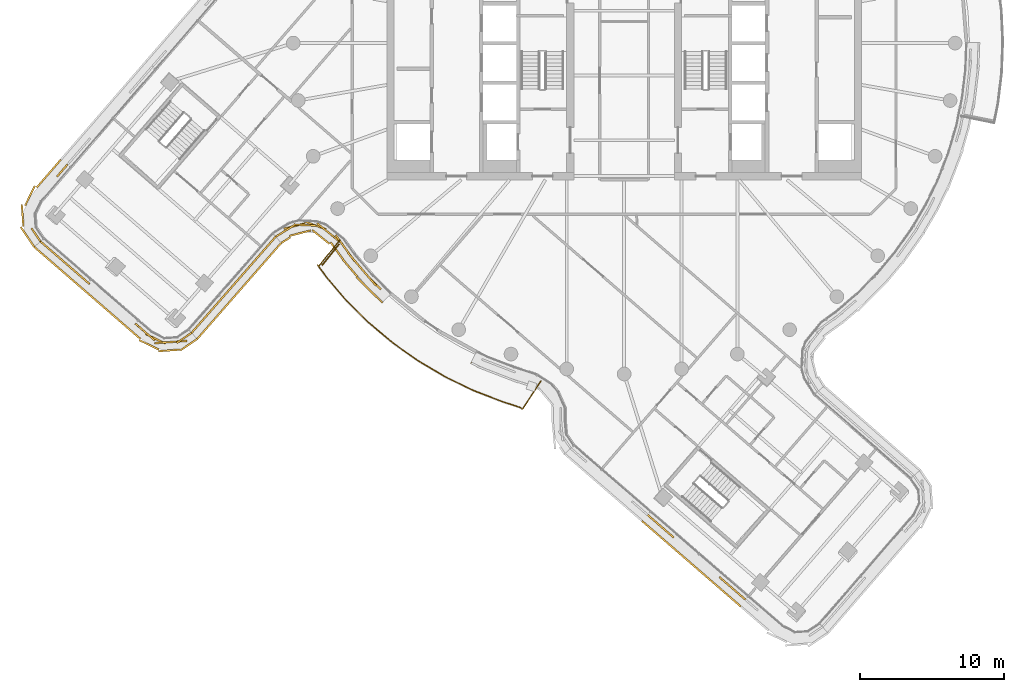
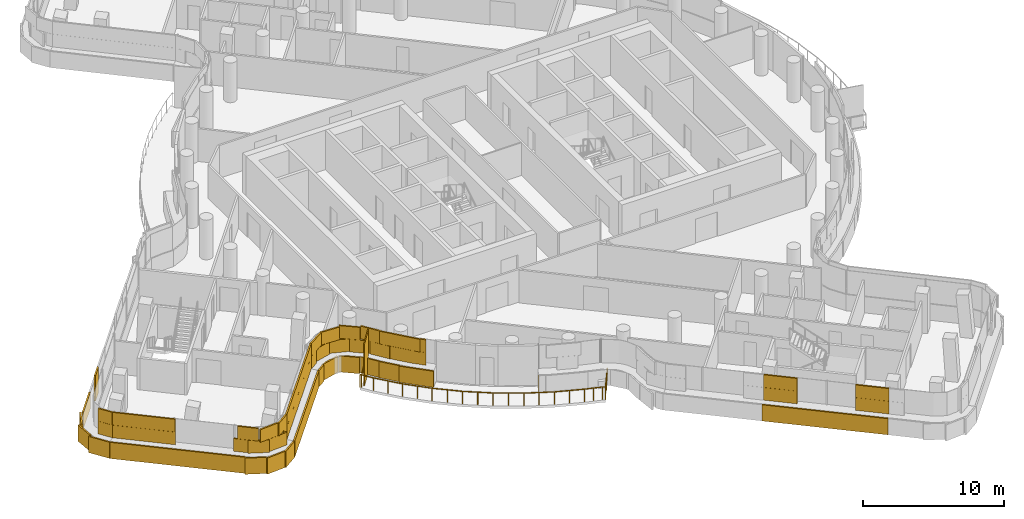
# One storey, part 25 of 32: 5 coverings, 1 railing, 1 shading device.
"""IFC4 building model written with IfcOpenShell, lengths in metres."""

from ifc_helpers import new_model, si_unit, direction, frame, origin, origin_2d, place, context, subcontext, project, spatial, rectangle, circle, extrude, material, layer, layer_set, type_object, element, save


model = new_model("IFC4")

# Units and contexts
model_context = context("Model", 3, precision=1e-05, world=origin(), true_north=direction((0.0, 1.0)))
body_context = subcontext(model_context, "Body", "Model", "MODEL_VIEW")
ifc_project = project(units=[si_unit("LENGTHUNIT", "METRE"), si_unit("AREAUNIT", "SQUARE_METRE"), si_unit("VOLUMEUNIT", "CUBIC_METRE"), si_unit("PLANEANGLEUNIT", "RADIAN"), si_unit("MASSUNIT", "GRAM", prefix="KILO")], contexts=[model_context])

# Site, building, storey
site_placement = place(None, origin())
site = spatial("IfcSite", under=ifc_project, at=site_placement, CompositionType="ELEMENT")
building_placement = place(site_placement, origin())
building = spatial("IfcBuilding", under=site, at=building_placement, Name="Tamarind Cross Interchange Tower", CompositionType="ELEMENT")
storey_placement = place(building_placement, frame((0.0, 0.0, 211.300048828125)))
storey = spatial("IfcBuildingStorey", under=building, at=storey_placement, Name="L53", CompositionType="ELEMENT", Elevation=211.300048828125)

# Railing
ifc_material_1 = material(Name="Stainless steel and laminated glass", Category="steel")
railing_type = type_object("IfcRailingType", Name="Balcony guard", PredefinedType="BALUSTRADE", material=ifc_material_1)
railing_placement = place(storey_placement, frame((-19.7607421875, -13.683837890625, 0.0)))
element("IfcRailing", 1, at=railing_placement, inside=storey, type_object=railing_type, Name="Balcony guard 02", PredefinedType="BALUSTRADE", context=body_context, shape_type="SweptSolid", body=[
    extrude(circle(Radius=0.02490234375, at=origin_2d()), frame((0.0, 0.0, 1.0751953125), z_axis=(-0.626566938799, -0.779367609799, 0.0), x_axis=(0.779367609799, -0.626566938799, 0.0)), (0.0, 0.0, 1.0), 2.320068359375),
    extrude(circle(Radius=0.02490234375, at=origin_2d()), frame((-1.45361328125, -1.80810546875, 1.0751953125), z_axis=(-0.779796144218, 0.626033524232, 0.0), x_axis=(-0.626033524232, -0.779796144218, 0.0)), (0.0, 0.0, 1.0), 0.111083984375),
    extrude(circle(Radius=0.02490234375, at=origin_2d()), frame((-1.540283203125, -1.738525390625, 1.0751953125), z_axis=(0.586718928927, -0.809790650995, 0.0), x_axis=(0.809790650995, 0.586718928927, 0.0)), (0.0, 0.0, 1.0), 1.02978515625),
    extrude(circle(Radius=0.02490234375, at=origin_2d()), frame((-0.93603515625, -2.572509765625, 1.0751953125), z_axis=(0.649577911597, -0.760295032711, 0.0), x_axis=(0.760295032711, 0.649577911597, 0.0)), (0.0, 0.0, 1.0), 2.172119140625),
    extrude(circle(Radius=0.02490234375, at=origin_2d()), frame((0.474853515625, -4.223876953125, 1.0751953125), z_axis=(0.710130717242, -0.704069857635, 0.0), x_axis=(0.704069857635, 0.710130717242, 0.0)), (0.0, 0.0, 1.0), 2.17529296875),
    extrude(circle(Radius=0.02490234375, at=origin_2d()), frame((2.01953125, -5.75537109375, 1.0751953125), z_axis=(0.765879503455, -0.642984125922, 0.0), x_axis=(0.642984125922, 0.765879503455, 0.0)), (0.0, 0.0, 1.0), 2.17529296875),
    extrude(circle(Radius=0.02490234375, at=origin_2d()), frame((3.685546875, -7.154052734375, 1.0751953125), z_axis=(0.81632657602, -0.577590617379, 0.0), x_axis=(0.577590617379, 0.81632657602, 0.0)), (0.0, 0.0, 1.0), 2.175048828125),
    extrude(circle(Radius=0.02490234375, at=origin_2d()), frame((5.461181640625, -8.410400390625, 1.0751953125), z_axis=(0.861223570169, -0.508226290333, 0.0), x_axis=(0.508226290333, 0.861223570169, 0.0)), (0.0, 0.0, 1.0), 2.175048828125),
    extrude(circle(Radius=0.02490234375, at=origin_2d()), frame((7.33447265625, -9.515869140625, 1.0751953125), z_axis=(0.90029690694, -0.435276325285, 0.0), x_axis=(0.435276325285, 0.90029690694, 0.0)), (0.0, 0.0, 1.0), 2.175048828125),
    extrude(circle(Radius=0.02490234375, at=origin_2d()), frame((9.292724609375, -10.462646484375, 1.0751953125), z_axis=(0.933130761804, -0.359537176625, 0.0), x_axis=(0.359537176625, 0.933130761804, 0.0)), (0.0, 0.0, 1.0), 2.1396484375),
    extrude(circle(Radius=0.02490234375, at=origin_2d()), frame((11.289306640625, -11.23193359375, 1.0751953125), z_axis=(0.950607684292, -0.310394958988, 0.0), x_axis=(0.310394958988, 0.950607684292, 0.0)), (0.0, 0.0, 1.0), 1.31982421875),
    extrude(circle(Radius=0.02490234375, at=origin_2d()), frame((12.5439453125, -11.6416015625, 1.0751953125), z_axis=(0.837058434918, -0.547113495112, 0.0), x_axis=(0.547113495112, 0.837058434918, 0.0)), (0.0, 0.0, 1.0), 0.193603515625),
    extrude(circle(Radius=0.02490234375, at=origin_2d()), frame((12.7060546875, -11.74755859375, 1.0751953125), z_axis=(0.546563059652, 0.837417949309, 0.0), x_axis=(-0.837417949309, 0.546563059652, 0.0)), (0.0, 0.0, 1.0), 2.320068359375),
    extrude(circle(Radius=0.02001953125, at=origin_2d()), origin(), (0.0, 0.0, 1.0), 1.050048828125),
    extrude(circle(Radius=0.02001953125, at=origin_2d()), frame((-0.726806640625, -0.904052734375, 0.0)), (0.0, 0.0, 1.0), 1.050048828125),
    extrude(circle(Radius=0.02001953125, at=origin_2d()), frame((-1.45361328125, -1.80810546875, 0.0)), (0.0, 0.0, 1.0), 1.050048828125),
    extrude(circle(Radius=0.02001953125, at=origin_2d()), frame((-1.540283203125, -1.738525390625, 0.0)), (0.0, 0.0, 1.0), 1.050048828125),
    extrude(circle(Radius=0.02001953125, at=origin_2d()), frame((-0.93603515625, -2.572509765625, 0.0)), (0.0, 0.0, 1.0), 1.050048828125),
    extrude(circle(Radius=0.02001953125, at=origin_2d()), frame((-0.23046875, -3.398193359375, 0.0)), (0.0, 0.0, 1.0), 1.050048828125),
    extrude(circle(Radius=0.02001953125, at=origin_2d()), frame((0.474853515625, -4.223876953125, 0.0)), (0.0, 0.0, 1.0), 1.050048828125),
    extrude(circle(Radius=0.02001953125, at=origin_2d()), frame((1.2470703125, -4.98974609375, 0.0)), (0.0, 0.0, 1.0), 1.050048828125),
    extrude(circle(Radius=0.02001953125, at=origin_2d()), frame((2.01953125, -5.75537109375, 0.0)), (0.0, 0.0, 1.0), 1.050048828125),
    extrude(circle(Radius=0.02001953125, at=origin_2d()), frame((2.8525390625, -6.45458984375, 0.0)), (0.0, 0.0, 1.0), 1.050048828125),
    extrude(circle(Radius=0.02001953125, at=origin_2d()), frame((3.685546875, -7.154052734375, 0.0)), (0.0, 0.0, 1.0), 1.050048828125),
    extrude(circle(Radius=0.02001953125, at=origin_2d()), frame((4.5732421875, -7.7822265625, 0.0)), (0.0, 0.0, 1.0), 1.050048828125),
    extrude(circle(Radius=0.02001953125, at=origin_2d()), frame((5.461181640625, -8.410400390625, 0.0)), (0.0, 0.0, 1.0), 1.050048828125),
    extrude(circle(Radius=0.02001953125, at=origin_2d()), frame((6.39794921875, -8.963134765625, 0.0)), (0.0, 0.0, 1.0), 1.050048828125),
    extrude(circle(Radius=0.02001953125, at=origin_2d()), frame((7.33447265625, -9.515869140625, 0.0)), (0.0, 0.0, 1.0), 1.050048828125),
    extrude(circle(Radius=0.02001953125, at=origin_2d()), frame((8.3134765625, -9.9892578125, 0.0)), (0.0, 0.0, 1.0), 1.050048828125),
    extrude(circle(Radius=0.02001953125, at=origin_2d()), frame((9.292724609375, -10.462646484375, 0.0)), (0.0, 0.0, 1.0), 1.050048828125),
    extrude(circle(Radius=0.02001953125, at=origin_2d()), frame((10.291015625, -10.84716796875, 0.0)), (0.0, 0.0, 1.0), 1.050048828125),
    extrude(circle(Radius=0.02001953125, at=origin_2d()), frame((11.289306640625, -11.23193359375, 0.0)), (0.0, 0.0, 1.0), 1.050048828125),
    extrude(circle(Radius=0.02001953125, at=origin_2d()), frame((11.91650390625, -11.436767578125, 0.0)), (0.0, 0.0, 1.0), 1.050048828125),
    extrude(circle(Radius=0.02001953125, at=origin_2d()), frame((12.5439453125, -11.6416015625, 0.0)), (0.0, 0.0, 1.0), 1.050048828125),
    extrude(circle(Radius=0.02001953125, at=origin_2d()), frame((12.7060546875, -11.74755859375, 0.0)), (0.0, 0.0, 1.0), 1.050048828125),
    extrude(circle(Radius=0.02001953125, at=origin_2d()), frame((13.340087890625, -10.776123046875, 0.0)), (0.0, 0.0, 1.0), 1.050048828125),
    extrude(circle(Radius=0.02001953125, at=origin_2d()), frame((13.97412109375, -9.8046875, 0.0)), (0.0, 0.0, 1.0), 1.050048828125),
])

# Shading device
ifc_material_2 = material(Name="Bronze-finish aluminium louvre", Category="aluminium")
ifc_layer_1 = layer(ifc_material_2, 0.080078125)
ifc_layer_set_1 = layer_set([ifc_layer_1], Name="Bronze-finish aluminium louvre")
shading_device_type = type_object("IfcShadingDeviceType", Name="Operable louvre bay", PredefinedType="JALOUSIE", material=ifc_layer_set_1)
shading_device_placement = place(storey_placement, origin())
element("IfcShadingDevice", 2, at=shading_device_placement, inside=storey, type_object=shading_device_type, Name="LVR-L53-BAL02", PredefinedType="JALOUSIE", context=body_context, shape_type="SweptSolid", body=[
    extrude(rectangle(XDim=1.89990234375, YDim=0.080078125, at=origin_2d()), frame((-20.403564453125, -14.706787109375, 0.0), z_axis=(0.0, 0.0, 1.0), x_axis=(-0.62651097802, -0.779412595754, 0.0)), (0.0, 0.0, 1.0), 3.60009765625),
])

# Coverings
ifc_material_3 = material(Name="Terracotta", Category="masonry")
ifc_layer_2 = layer(ifc_material_3, 0.1201171875)
ifc_layer_set_2 = layer_set([ifc_layer_2], Name="Terracotta")
covering_type = type_object("IfcCoveringType", Name="Terracotta baguette screen unit", PredefinedType="MOLDING", material=ifc_layer_set_2)
covering_1_placement = place(storey_placement, origin())
element("IfcCovering", 3, at=covering_1_placement, inside=storey, type_object=covering_type, Name="SCR-L53-00-00", PredefinedType="MOLDING", context=body_context, shape_type="SweptSolid", body=[
    extrude(rectangle(XDim=0.760009765625, YDim=0.1201171875, at=origin_2d()), frame((-40.28515625, -14.0302734375, 1.40380859375), z_axis=(0.0, 0.0, 1.0), x_axis=(0.755917458902, -0.654666934653, 0.0)), (0.0, 0.0, 1.0), 1.092041015625),
    extrude(rectangle(XDim=1.52001953125, YDim=0.1201171875, at=origin_2d()), frame((-39.4345703125, -14.766845703125, 1.40380859375), z_axis=(0.0, 0.0, 1.0), x_axis=(0.755917458902, -0.654666934653, 0.0)), (0.0, 0.0, 1.0), 1.092041015625),
    extrude(rectangle(XDim=1.52001953125, YDim=0.1201171875, at=origin_2d()), frame((-38.30078125, -15.748779296875, 1.40380859375), z_axis=(0.0, 0.0, 1.0), x_axis=(0.755917458902, -0.654666934653, 0.0)), (0.0, 0.0, 1.0), 1.092041015625),
    extrude(rectangle(XDim=0.78466796875, YDim=0.1201171875, at=origin_2d()), frame((-37.44091796875, -16.493408203125, 1.40380859375), z_axis=(0.0, 0.0, 1.0), x_axis=(0.755917458902, -0.654666934653, 0.0)), (0.0, 0.0, 1.0), 1.092041015625),
    extrude(rectangle(XDim=1.03515625, YDim=0.1201171875, at=origin_2d()), frame((-33.5859375, -19.832275390625, 1.40380859375), z_axis=(0.0, 0.0, 1.0), x_axis=(0.755917458902, -0.654666934653, 0.0)), (0.0, 0.0, 1.0), 1.092041015625),
    extrude(rectangle(XDim=1.52001953125, YDim=0.1201171875, at=origin_2d()), frame((-32.56298828125, -20.554931640625, 1.40380859375), z_axis=(0.0, 0.0, 1.0), x_axis=(0.899600466983, -0.436713864909, 0.0)), (0.0, 0.0, 1.0), 1.092041015625),
    extrude(rectangle(XDim=1.52001953125, YDim=0.1201171875, at=origin_2d()), frame((-31.125, -20.75, 1.40380859375), z_axis=(0.0, 0.0, 1.0), x_axis=(0.997433790118, 0.071594932295, 0.0)), (0.0, 0.0, 1.0), 1.092041015625),
    extrude(rectangle(XDim=0.509521484375, YDim=0.1201171875, at=origin_2d()), frame((-30.26708984375, -20.276611328125, 1.40380859375), z_axis=(0.0, 0.0, 1.0), x_axis=(0.828005534688, 0.560719925209, 0.0)), (0.0, 0.0, 1.0), 1.092041015625),
    extrude(rectangle(XDim=1.510009765625, YDim=0.1201171875, at=origin_2d()), frame((-40.001708984375, -14.27587890625, 2.50390625), z_axis=(0.0, 0.0, 1.0), x_axis=(0.755917458902, -0.654666934653, 0.0)), (0.0, 0.0, 1.0), 1.092041015625),
    extrude(rectangle(XDim=1.52001953125, YDim=0.1201171875, at=origin_2d()), frame((-38.86767578125, -15.2578125, 2.50390625), z_axis=(0.0, 0.0, 1.0), x_axis=(0.755917458902, -0.654666934653, 0.0)), (0.0, 0.0, 1.0), 1.092041015625),
    extrude(rectangle(XDim=1.52001953125, YDim=0.1201171875, at=origin_2d()), frame((-37.73388671875, -16.23974609375, 2.50390625), z_axis=(0.0, 0.0, 1.0), x_axis=(0.755917458902, -0.654666934653, 0.0)), (0.0, 0.0, 1.0), 1.092041015625),
    extrude(rectangle(XDim=1.52001953125, YDim=0.1201171875, at=origin_2d()), frame((-33.1982421875, -20.167724609375, 2.50390625), z_axis=(0.0, 0.0, 1.0), x_axis=(0.755917458902, -0.654666934653, 0.0)), (0.0, 0.0, 1.0), 1.092041015625),
    extrude(rectangle(XDim=1.52001953125, YDim=0.1201171875, at=origin_2d()), frame((-31.873046875, -20.8037109375, 2.50390625), z_axis=(0.0, 0.0, 1.0), x_axis=(0.997433790118, 0.071594932295, 0.0)), (0.0, 0.0, 1.0), 1.092041015625),
    extrude(rectangle(XDim=1.259521484375, YDim=0.1201171875, at=origin_2d()), frame((-30.577392578125, -20.487060546875, 2.50390625), z_axis=(0.0, 0.0, 1.0), x_axis=(0.828005534688, 0.560719925209, 0.0)), (0.0, 0.0, 1.0), 1.092041015625),
    extrude(rectangle(XDim=0.760009765625, YDim=0.1201171875, at=origin_2d()), frame((-40.714111328125, -14.41796875, 0.00390625), z_axis=(0.0, 0.0, 1.0), x_axis=(0.755917458902, -0.654666934653, 0.0)), (0.0, 0.0, 1.0), 1.39208984375),
    extrude(rectangle(XDim=1.52001953125, YDim=0.1201171875, at=origin_2d()), frame((-39.86767578125, -15.151123046875, 0.00390625), z_axis=(0.0, 0.0, 1.0), x_axis=(0.755917458902, -0.654666934653, 0.0)), (0.0, 0.0, 1.0), 1.39208984375),
    extrude(rectangle(XDim=1.52001953125, YDim=0.1201171875, at=origin_2d()), frame((-38.733642578125, -16.13330078125, 0.00390625), z_axis=(0.0, 0.0, 1.0), x_axis=(0.755917458902, -0.654666934653, 0.0)), (0.0, 0.0, 1.0), 1.39208984375),
    extrude(rectangle(XDim=1.52001953125, YDim=0.1201171875, at=origin_2d()), frame((-37.599853515625, -17.115234375, 0.00390625), z_axis=(0.0, 0.0, 1.0), x_axis=(0.755917458902, -0.654666934653, 0.0)), (0.0, 0.0, 1.0), 1.39208984375),
    extrude(rectangle(XDim=1.52001953125, YDim=0.1201171875, at=origin_2d()), frame((-36.4658203125, -18.09716796875, 0.00390625), z_axis=(0.0, 0.0, 1.0), x_axis=(0.755917458902, -0.654666934653, 0.0)), (0.0, 0.0, 1.0), 1.39208984375),
    extrude(rectangle(XDim=1.52001953125, YDim=0.1201171875, at=origin_2d()), frame((-35.33203125, -19.0791015625, 0.00390625), z_axis=(0.0, 0.0, 1.0), x_axis=(0.755917458902, -0.654666934653, 0.0)), (0.0, 0.0, 1.0), 1.39208984375),
    extrude(rectangle(XDim=1.52001953125, YDim=0.1201171875, at=origin_2d()), frame((-34.1982421875, -20.061279296875, 0.00390625), z_axis=(0.0, 0.0, 1.0), x_axis=(0.755917458902, -0.654666934653, 0.0)), (0.0, 0.0, 1.0), 1.39208984375),
    extrude(rectangle(XDim=1.52001953125, YDim=0.1201171875, at=origin_2d()), frame((-33.017578125, -20.972412109375, 0.00390625), z_axis=(0.0, 0.0, 1.0), x_axis=(0.899600466983, -0.436713864909, 0.0)), (0.0, 0.0, 1.0), 1.39208984375),
    extrude(rectangle(XDim=1.52001953125, YDim=0.1201171875, at=origin_2d()), frame((-31.616943359375, -21.36083984375, 0.00390625), z_axis=(0.0, 0.0, 1.0), x_axis=(0.997433790118, 0.071594932295, 0.0)), (0.0, 0.0, 1.0), 1.39208984375),
    extrude(rectangle(XDim=1.425537109375, YDim=0.1201171875, at=origin_2d()), frame((-30.26708984375, -20.969970703125, 0.00390625), z_axis=(0.0, 0.0, 1.0), x_axis=(0.828005534688, 0.560719925209, 0.0)), (0.0, 0.0, 1.0), 1.39208984375),
])
covering_2_placement = place(storey_placement, origin())
element("IfcCovering", 4, at=covering_2_placement, inside=storey, type_object=covering_type, Name="SCR-L53-01-00", PredefinedType="MOLDING", context=body_context, shape_type="SweptSolid", body=[
    extrude(rectangle(XDim=0.760009765625, YDim=0.1201171875, at=origin_2d()), frame((-29.813232421875, -19.8544921875, 1.40380859375), z_axis=(0.0, 0.0, 1.0), x_axis=(0.658471825561, 0.752605377966, 0.0)), (0.0, 0.0, 1.0), 1.092041015625),
    extrude(rectangle(XDim=1.52001953125, YDim=0.1201171875, at=origin_2d()), frame((-29.072509765625, -19.0078125, 1.40380859375), z_axis=(0.0, 0.0, 1.0), x_axis=(0.658471825561, 0.752605377966, 0.0)), (0.0, 0.0, 1.0), 1.092041015625),
    extrude(rectangle(XDim=1.52001953125, YDim=0.1201171875, at=origin_2d()), frame((-28.084716796875, -17.87890625, 1.40380859375), z_axis=(0.0, 0.0, 1.0), x_axis=(0.658471825561, 0.752605377966, 0.0)), (0.0, 0.0, 1.0), 1.092041015625),
    extrude(rectangle(XDim=1.52001953125, YDim=0.1201171875, at=origin_2d()), frame((-27.09716796875, -16.75, 1.40380859375), z_axis=(0.0, 0.0, 1.0), x_axis=(0.658471825561, 0.752605377966, 0.0)), (0.0, 0.0, 1.0), 1.092041015625),
    extrude(rectangle(XDim=1.52001953125, YDim=0.1201171875, at=origin_2d()), frame((-26.109375, -15.62109375, 1.40380859375), z_axis=(0.0, 0.0, 1.0), x_axis=(0.658471825561, 0.752605377966, 0.0)), (0.0, 0.0, 1.0), 1.092041015625),
    extrude(rectangle(XDim=1.52001953125, YDim=0.1201171875, at=origin_2d()), frame((-25.12158203125, -14.4921875, 1.40380859375), z_axis=(0.0, 0.0, 1.0), x_axis=(0.658471825561, 0.752605377966, 0.0)), (0.0, 0.0, 1.0), 1.092041015625),
    extrude(rectangle(XDim=0.637451171875, YDim=0.1201171875, at=origin_2d()), frame((-24.421142578125, -13.69140625, 1.40380859375), z_axis=(0.0, 0.0, 1.0), x_axis=(0.658471825561, 0.752605377966, 0.0)), (0.0, 0.0, 1.0), 1.092041015625),
    extrude(rectangle(XDim=1.510009765625, YDim=0.1201171875, at=origin_2d()), frame((-29.56640625, -19.572265625, 2.50390625), z_axis=(0.0, 0.0, 1.0), x_axis=(0.658471825561, 0.752605377966, 0.0)), (0.0, 0.0, 1.0), 1.092041015625),
    extrude(rectangle(XDim=1.52001953125, YDim=0.1201171875, at=origin_2d()), frame((-28.57861328125, -18.443359375, 2.50390625), z_axis=(0.0, 0.0, 1.0), x_axis=(0.658471825561, 0.752605377966, 0.0)), (0.0, 0.0, 1.0), 1.092041015625),
    extrude(rectangle(XDim=1.52001953125, YDim=0.1201171875, at=origin_2d()), frame((-27.591064453125, -17.314453125, 2.50390625), z_axis=(0.0, 0.0, 1.0), x_axis=(0.658471825561, 0.752605377966, 0.0)), (0.0, 0.0, 1.0), 1.092041015625),
    extrude(rectangle(XDim=1.52001953125, YDim=0.1201171875, at=origin_2d()), frame((-26.603271484375, -16.185546875, 2.50390625), z_axis=(0.0, 0.0, 1.0), x_axis=(0.658471825561, 0.752605377966, 0.0)), (0.0, 0.0, 1.0), 1.092041015625),
    extrude(rectangle(XDim=1.52001953125, YDim=0.1201171875, at=origin_2d()), frame((-25.615478515625, -15.056640625, 2.50390625), z_axis=(0.0, 0.0, 1.0), x_axis=(0.658471825561, 0.752605377966, 0.0)), (0.0, 0.0, 1.0), 1.092041015625),
    extrude(rectangle(XDim=1.387451171875, YDim=0.1201171875, at=origin_2d()), frame((-24.668212890625, -13.9736328125, 2.50390625), z_axis=(0.0, 0.0, 1.0), x_axis=(0.658471825561, 0.752605377966, 0.0)), (0.0, 0.0, 1.0), 1.092041015625),
    extrude(rectangle(XDim=0.760009765625, YDim=0.1201171875, at=origin_2d()), frame((-29.4267578125, -20.284423828125, 0.00390625), z_axis=(0.0, 0.0, 1.0), x_axis=(0.658471825561, 0.752605377966, 0.0)), (0.0, 0.0, 1.0), 1.39208984375),
    extrude(rectangle(XDim=1.52001953125, YDim=0.1201171875, at=origin_2d()), frame((-28.689208984375, -19.44140625, 0.00390625), z_axis=(0.0, 0.0, 1.0), x_axis=(0.658471825561, 0.752605377966, 0.0)), (0.0, 0.0, 1.0), 1.39208984375),
    extrude(rectangle(XDim=1.52001953125, YDim=0.1201171875, at=origin_2d()), frame((-27.70166015625, -18.3125, 0.00390625), z_axis=(0.0, 0.0, 1.0), x_axis=(0.658471825561, 0.752605377966, 0.0)), (0.0, 0.0, 1.0), 1.39208984375),
    extrude(rectangle(XDim=1.52001953125, YDim=0.1201171875, at=origin_2d()), frame((-26.7138671875, -17.18359375, 0.00390625), z_axis=(0.0, 0.0, 1.0), x_axis=(0.658471825561, 0.752605377966, 0.0)), (0.0, 0.0, 1.0), 1.39208984375),
    extrude(rectangle(XDim=1.52001953125, YDim=0.1201171875, at=origin_2d()), frame((-25.72607421875, -16.0546875, 0.00390625), z_axis=(0.0, 0.0, 1.0), x_axis=(0.658471825561, 0.752605377966, 0.0)), (0.0, 0.0, 1.0), 1.39208984375),
    extrude(rectangle(XDim=1.52001953125, YDim=0.1201171875, at=origin_2d()), frame((-24.738525390625, -14.92578125, 0.00390625), z_axis=(0.0, 0.0, 1.0), x_axis=(0.658471825561, 0.752605377966, 0.0)), (0.0, 0.0, 1.0), 1.39208984375),
    extrude(rectangle(XDim=0.6259765625, YDim=0.1201171875, at=origin_2d()), frame((-24.045166015625, -14.13330078125, 0.00390625), z_axis=(0.0, 0.0, 1.0), x_axis=(0.658471825561, 0.752605377966, 0.0)), (0.0, 0.0, 1.0), 1.39208984375),
])
covering_3_placement = place(storey_placement, origin())
element("IfcCovering", 5, at=covering_3_placement, inside=storey, type_object=covering_type, Name="SCR-L53-02-00", PredefinedType="MOLDING", context=body_context, shape_type="SweptSolid", body=[
    extrude(rectangle(XDim=0.760009765625, YDim=0.1201171875, at=origin_2d()), frame((-23.89599609375, -13.257568359375, 1.40380859375), z_axis=(0.0, 0.0, 1.0), x_axis=(0.849502631927, 0.527584380313, 0.0)), (0.0, 0.0, 1.0), 1.092041015625),
    extrude(rectangle(XDim=1.52001953125, YDim=0.1201171875, at=origin_2d()), frame((-22.91650390625, -12.719482421875, 1.40380859375), z_axis=(0.0, 0.0, 1.0), x_axis=(0.96780073839, 0.251717561508, 0.0)), (0.0, 0.0, 1.0), 1.092041015625),
    extrude(rectangle(XDim=1.52001953125, YDim=0.1201171875, at=origin_2d()), frame((-21.42919921875, -12.685546875, 1.40380859375), z_axis=(0.0, 0.0, 1.0), x_axis=(0.940007070601, -0.341154960714, 0.0)), (0.0, 0.0, 1.0), 1.092041015625),
    extrude(rectangle(XDim=1.52001953125, YDim=0.1201171875, at=origin_2d()), frame((-20.172119140625, -13.46875, 1.40380859375), z_axis=(0.0, 0.0, 1.0), x_axis=(0.779412595754, -0.62651097802, 0.0)), (0.0, 0.0, 1.0), 1.092041015625),
    extrude(rectangle(XDim=1.52001953125, YDim=0.1201171875, at=origin_2d()), frame((-19.16796875, -14.5654296875, 1.40380859375), z_axis=(0.0, 0.0, 1.0), x_axis=(0.586628953503, -0.809855833413, 0.0)), (0.0, 0.0, 1.0), 1.092041015625),
    extrude(rectangle(XDim=1.52001953125, YDim=0.1201171875, at=origin_2d()), frame((-18.2177734375, -15.724853515625, 1.40380859375), z_axis=(0.0, 0.0, 1.0), x_axis=(0.64957723968, -0.760295606781, 0.0)), (0.0, 0.0, 1.0), 1.092041015625),
    extrude(rectangle(XDim=1.172607421875, YDim=0.1201171875, at=origin_2d()), frame((-17.3251953125, -16.71142578125, 1.40380859375), z_axis=(0.0, 0.0, 1.0), x_axis=(0.710143317658, -0.704057148523, 0.0)), (0.0, 0.0, 1.0), 1.092041015625),
    extrude(rectangle(XDim=1.510009765625, YDim=0.1201171875, at=origin_2d()), frame((-23.577392578125, -13.0595703125, 2.50390625), z_axis=(0.0, 0.0, 1.0), x_axis=(0.849502631927, 0.527584380313, 0.0)), (0.0, 0.0, 1.0), 1.092041015625),
    extrude(rectangle(XDim=1.52001953125, YDim=0.1201171875, at=origin_2d()), frame((-22.17822265625, -12.649658203125, 2.50390625), z_axis=(0.0, 0.0, 1.0), x_axis=(0.998902956204, -0.046828240266, 0.0)), (0.0, 0.0, 1.0), 1.092041015625),
    extrude(rectangle(XDim=1.52001953125, YDim=0.1201171875, at=origin_2d()), frame((-20.756591796875, -12.998779296875, 2.50390625), z_axis=(0.0, 0.0, 1.0), x_axis=(0.779412595754, -0.62651097802, 0.0)), (0.0, 0.0, 1.0), 1.092041015625),
    extrude(rectangle(XDim=1.52001953125, YDim=0.1201171875, at=origin_2d()), frame((-19.60791015625, -13.9580078125, 2.50390625), z_axis=(0.0, 0.0, 1.0), x_axis=(0.586628953503, -0.809855833413, 0.0)), (0.0, 0.0, 1.0), 1.092041015625),
    extrude(rectangle(XDim=1.52001953125, YDim=0.1201171875, at=origin_2d()), frame((-18.705078125, -15.15478515625, 2.50390625), z_axis=(0.0, 0.0, 1.0), x_axis=(0.64957723968, -0.760295606781, 0.0)), (0.0, 0.0, 1.0), 1.092041015625),
    extrude(rectangle(XDim=1.52001953125, YDim=0.1201171875, at=origin_2d()), frame((-17.730712890625, -16.295166015625, 2.50390625), z_axis=(0.0, 0.0, 1.0), x_axis=(0.64957723968, -0.760295606781, 0.0)), (0.0, 0.0, 1.0), 1.092041015625),
    extrude(rectangle(XDim=0.422607421875, YDim=0.1201171875, at=origin_2d()), frame((-17.05908203125, -16.975341796875, 2.50390625), z_axis=(0.0, 0.0, 1.0), x_axis=(0.710143317658, -0.704057148523, 0.0)), (0.0, 0.0, 1.0), 1.092041015625),
    extrude(rectangle(XDim=0.760009765625, YDim=0.1201171875, at=origin_2d()), frame((-23.51611328125, -13.697265625, 0.00390625), z_axis=(0.0, 0.0, 1.0), x_axis=(0.849502631927, 0.527584380313, 0.0)), (0.0, 0.0, 1.0), 1.39208984375),
    extrude(rectangle(XDim=1.52001953125, YDim=0.1201171875, at=origin_2d()), frame((-22.5205078125, -13.20947265625, 0.00390625), z_axis=(0.0, 0.0, 1.0), x_axis=(0.96780073839, 0.251717561508, 0.0)), (0.0, 0.0, 1.0), 1.39208984375),
    extrude(rectangle(XDim=1.52001953125, YDim=0.1201171875, at=origin_2d()), frame((-21.078125, -13.476806640625, 0.00390625), z_axis=(0.0, 0.0, 1.0), x_axis=(0.779412595754, -0.62651097802, 0.0)), (0.0, 0.0, 1.0), 1.39208984375),
    extrude(rectangle(XDim=1.52001953125, YDim=0.1201171875, at=origin_2d()), frame((-19.953857421875, -14.459228515625, 0.00390625), z_axis=(0.0, 0.0, 1.0), x_axis=(0.586628953503, -0.809855833413, 0.0)), (0.0, 0.0, 1.0), 1.39208984375),
    extrude(rectangle(XDim=1.52001953125, YDim=0.1201171875, at=origin_2d()), frame((-19.039306640625, -15.64697265625, 0.00390625), z_axis=(0.0, 0.0, 1.0), x_axis=(0.64957723968, -0.760295606781, 0.0)), (0.0, 0.0, 1.0), 1.39208984375),
    extrude(rectangle(XDim=1.52001953125, YDim=0.1201171875, at=origin_2d()), frame((-18.064453125, -16.786865234375, 0.00390625), z_axis=(0.0, 0.0, 1.0), x_axis=(0.710143317658, -0.704057148523, 0.0)), (0.0, 0.0, 1.0), 1.39208984375),
    extrude(rectangle(XDim=1.04052734375, YDim=0.1201171875, at=origin_2d()), frame((-17.16943359375, -17.674072265625, 0.00390625), z_axis=(0.0, 0.0, 1.0), x_axis=(0.710143317658, -0.704057148523, 0.0)), (0.0, 0.0, 1.0), 1.39208984375),
    extrude(rectangle(XDim=0.03076171875, YDim=0.1201171875, at=origin_2d()), frame((-10.634521484375, -22.2265625, 0.00390625), z_axis=(0.0, 0.0, 1.0), x_axis=(0.900272776334, -0.435326231914, 0.0)), (0.0, 0.0, 1.0), 1.39208984375),
])
covering_4_placement = place(storey_placement, origin())
element("IfcCovering", 6, at=covering_4_placement, inside=storey, type_object=covering_type, Name="SCR-L53-03-01", PredefinedType="MOLDING", context=body_context, shape_type="SweptSolid", body=[
    extrude(rectangle(XDim=1.190673828125, YDim=0.1201171875, at=origin_2d()), frame((2.076416015625, -33.177734375, 1.40380859375), z_axis=(0.0, 0.0, 1.0), x_axis=(0.755917458902, -0.654666934653, 0.0)), (0.0, 0.0, 1.0), 1.092041015625),
    extrude(rectangle(XDim=1.23486328125, YDim=0.1201171875, at=origin_2d()), frame((2.985595703125, -33.965087890625, 1.40380859375), z_axis=(0.0, 0.0, 1.0), x_axis=(0.755917458902, -0.654666934653, 0.0)), (0.0, 0.0, 1.0), 1.092041015625),
    extrude(rectangle(XDim=0.585205078125, YDim=0.1201171875, at=origin_2d()), frame((6.8408203125, -37.303955078125, 1.40380859375), z_axis=(0.0, 0.0, 1.0), x_axis=(0.755917458902, -0.654666934653, 0.0)), (0.0, 0.0, 1.0), 1.092041015625),
    extrude(rectangle(XDim=1.52001953125, YDim=0.1201171875, at=origin_2d()), frame((7.625244140625, -37.983154296875, 1.40380859375), z_axis=(0.0, 0.0, 1.0), x_axis=(0.755917458902, -0.654666934653, 0.0)), (0.0, 0.0, 1.0), 1.092041015625),
    extrude(rectangle(XDim=0.34033203125, YDim=0.1201171875, at=origin_2d()), frame((8.31689453125, -38.582275390625, 1.40380859375), z_axis=(0.0, 0.0, 1.0), x_axis=(0.755917458902, -0.654666934653, 0.0)), (0.0, 0.0, 1.0), 1.092041015625),
    extrude(rectangle(XDim=0.440673828125, YDim=0.1201171875, at=origin_2d()), frame((1.79296875, -32.93212890625, 2.50390625), z_axis=(0.0, 0.0, 1.0), x_axis=(0.755917458902, -0.654666934653, 0.0)), (0.0, 0.0, 1.0), 1.092041015625),
    extrude(rectangle(XDim=1.52001953125, YDim=0.1201171875, at=origin_2d()), frame((2.522705078125, -33.564208984375, 2.50390625), z_axis=(0.0, 0.0, 1.0), x_axis=(0.755917458902, -0.654666934653, 0.0)), (0.0, 0.0, 1.0), 1.092041015625),
    extrude(rectangle(XDim=0.48486328125, YDim=0.1201171875, at=origin_2d()), frame((3.269287109375, -34.210693359375, 2.50390625), z_axis=(0.0, 0.0, 1.0), x_axis=(0.755917458902, -0.654666934653, 0.0)), (0.0, 0.0, 1.0), 1.092041015625),
    extrude(rectangle(XDim=1.335205078125, YDim=0.1201171875, at=origin_2d()), frame((7.124267578125, -37.54931640625, 2.50390625), z_axis=(0.0, 0.0, 1.0), x_axis=(0.755917458902, -0.654666934653, 0.0)), (0.0, 0.0, 1.0), 1.092041015625),
    extrude(rectangle(XDim=1.09033203125, YDim=0.1201171875, at=origin_2d()), frame((8.033447265625, -38.3369140625, 2.50390625), z_axis=(0.0, 0.0, 1.0), x_axis=(0.755917458902, -0.654666934653, 0.0)), (0.0, 0.0, 1.0), 1.092041015625),
    extrude(rectangle(XDim=1.135986328125, YDim=0.1201171875, at=origin_2d()), frame((1.669677734375, -33.584716796875, 0.00390625), z_axis=(0.0, 0.0, 1.0), x_axis=(0.755917458902, -0.654666934653, 0.0)), (0.0, 0.0, 1.0), 1.39208984375),
    extrude(rectangle(XDim=1.52001953125, YDim=0.1201171875, at=origin_2d()), frame((2.658203125, -34.44091796875, 0.00390625), z_axis=(0.0, 0.0, 1.0), x_axis=(0.755917458902, -0.654666934653, 0.0)), (0.0, 0.0, 1.0), 1.39208984375),
    extrude(rectangle(XDim=1.52001953125, YDim=0.1201171875, at=origin_2d()), frame((3.792236328125, -35.4228515625, 0.00390625), z_axis=(0.0, 0.0, 1.0), x_axis=(0.755917458902, -0.654666934653, 0.0)), (0.0, 0.0, 1.0), 1.39208984375),
    extrude(rectangle(XDim=1.52001953125, YDim=0.1201171875, at=origin_2d()), frame((4.926025390625, -36.40478515625, 0.00390625), z_axis=(0.0, 0.0, 1.0), x_axis=(0.755917458902, -0.654666934653, 0.0)), (0.0, 0.0, 1.0), 1.39208984375),
    extrude(rectangle(XDim=1.52001953125, YDim=0.1201171875, at=origin_2d()), frame((6.059814453125, -37.386962890625, 0.00390625), z_axis=(0.0, 0.0, 1.0), x_axis=(0.755917458902, -0.654666934653, 0.0)), (0.0, 0.0, 1.0), 1.39208984375),
    extrude(rectangle(XDim=1.52001953125, YDim=0.1201171875, at=origin_2d()), frame((7.19384765625, -38.368896484375, 0.00390625), z_axis=(0.0, 0.0, 1.0), x_axis=(0.755917458902, -0.654666934653, 0.0)), (0.0, 0.0, 1.0), 1.39208984375),
    extrude(rectangle(XDim=0.46484375, YDim=0.1201171875, at=origin_2d()), frame((7.928955078125, -39.00537109375, 0.00390625), z_axis=(0.0, 0.0, 1.0), x_axis=(0.755917458902, -0.654666934653, 0.0)), (0.0, 0.0, 1.0), 1.39208984375),
])
covering_5_placement = place(storey_placement, origin())
element("IfcCovering", 7, at=covering_5_placement, inside=storey, type_object=covering_type, Name="SCR-L53-11-02", PredefinedType="MOLDING", context=body_context, shape_type="SweptSolid", body=[
    extrude(rectangle(XDim=1.108154296875, YDim=0.1201171875, at=origin_2d()), frame((-39.05322265625, -8.860595703125, 1.40380859375), z_axis=(0.0, 0.0, 1.0), x_axis=(-0.654666934653, -0.755917458902, 0.0)), (0.0, 0.0, 1.0), 1.092041015625),
    extrude(rectangle(XDim=0.37158203125, YDim=0.1201171875, at=origin_2d()), frame((-41.08837890625, -13.016845703125, 1.40380859375), z_axis=(0.0, 0.0, 1.0), x_axis=(0.560719925209, -0.828005534688, 0.0)), (0.0, 0.0, 1.0), 1.092041015625),
    extrude(rectangle(XDim=0.756591796875, YDim=0.1201171875, at=origin_2d()), frame((-40.77783203125, -13.4755859375, 1.40380859375), z_axis=(0.0, 0.0, 1.0), x_axis=(0.560719925209, -0.828005534688, 0.0)), (0.0, 0.0, 1.0), 1.092041015625),
    extrude(rectangle(XDim=0.4296875, YDim=0.1201171875, at=origin_2d()), frame((-38.827880859375, -8.600341796875, 2.50390625), z_axis=(0.0, 0.0, 1.0), x_axis=(-0.654666934653, -0.755917458902, 0.0)), (0.0, 0.0, 1.0), 1.092041015625),
    extrude(rectangle(XDim=0.698486328125, YDim=0.1201171875, at=origin_2d()), frame((-39.1904296875, -9.019287109375, 2.50390625), z_axis=(0.0, 0.0, 1.0), x_axis=(-0.654666934653, -0.755917458902, 0.0)), (0.0, 0.0, 1.0), 1.092041015625),
    extrude(rectangle(XDim=1.108154296875, YDim=0.1201171875, at=origin_2d()), frame((-40.879150390625, -13.325927734375, 2.50390625), z_axis=(0.0, 0.0, 1.0), x_axis=(0.560719925209, -0.828005534688, 0.0)), (0.0, 0.0, 1.0), 1.092041015625),
    extrude(rectangle(XDim=1.05517578125, YDim=0.1201171875, at=origin_2d()), frame((-39.5029296875, -8.50341796875, 0.00390625), z_axis=(0.0, 0.0, 1.0), x_axis=(-0.654666934653, -0.755917458902, 0.0)), (0.0, 0.0, 1.0), 1.39208984375),
    extrude(rectangle(XDim=1.52001953125, YDim=0.1201171875, at=origin_2d()), frame((-40.3330078125, -9.46142578125, 0.00390625), z_axis=(0.0, 0.0, 1.0), x_axis=(-0.654666934653, -0.755917458902, 0.0)), (0.0, 0.0, 1.0), 1.39208984375),
    extrude(rectangle(XDim=1.52001953125, YDim=0.1201171875, at=origin_2d()), frame((-41.29736328125, -10.60693359375, 0.00390625), z_axis=(0.0, 0.0, 1.0), x_axis=(-0.436713864909, -0.899600466983, 0.0)), (0.0, 0.0, 1.0), 1.39208984375),
    extrude(rectangle(XDim=1.52001953125, YDim=0.1201171875, at=origin_2d()), frame((-41.810302734375, -11.983642578125, 0.00390625), z_axis=(0.0, 0.0, 1.0), x_axis=(0.071594932295, -0.997433790118, 0.0)), (0.0, 0.0, 1.0), 1.39208984375),
    extrude(rectangle(XDim=1.52001953125, YDim=0.1201171875, at=origin_2d()), frame((-41.5126953125, -13.4140625, 0.00390625), z_axis=(0.0, 0.0, 1.0), x_axis=(0.560719925209, -0.828005534688, 0.0)), (0.0, 0.0, 1.0), 1.39208984375),
    extrude(rectangle(XDim=0.172119140625, YDim=0.1201171875, at=origin_2d()), frame((-41.049560546875, -14.097900390625, 0.00390625), z_axis=(0.0, 0.0, 1.0), x_axis=(0.560719925209, -0.828005534688, 0.0)), (0.0, 0.0, 1.0), 1.39208984375),
])

save(model, "model.ifc")
